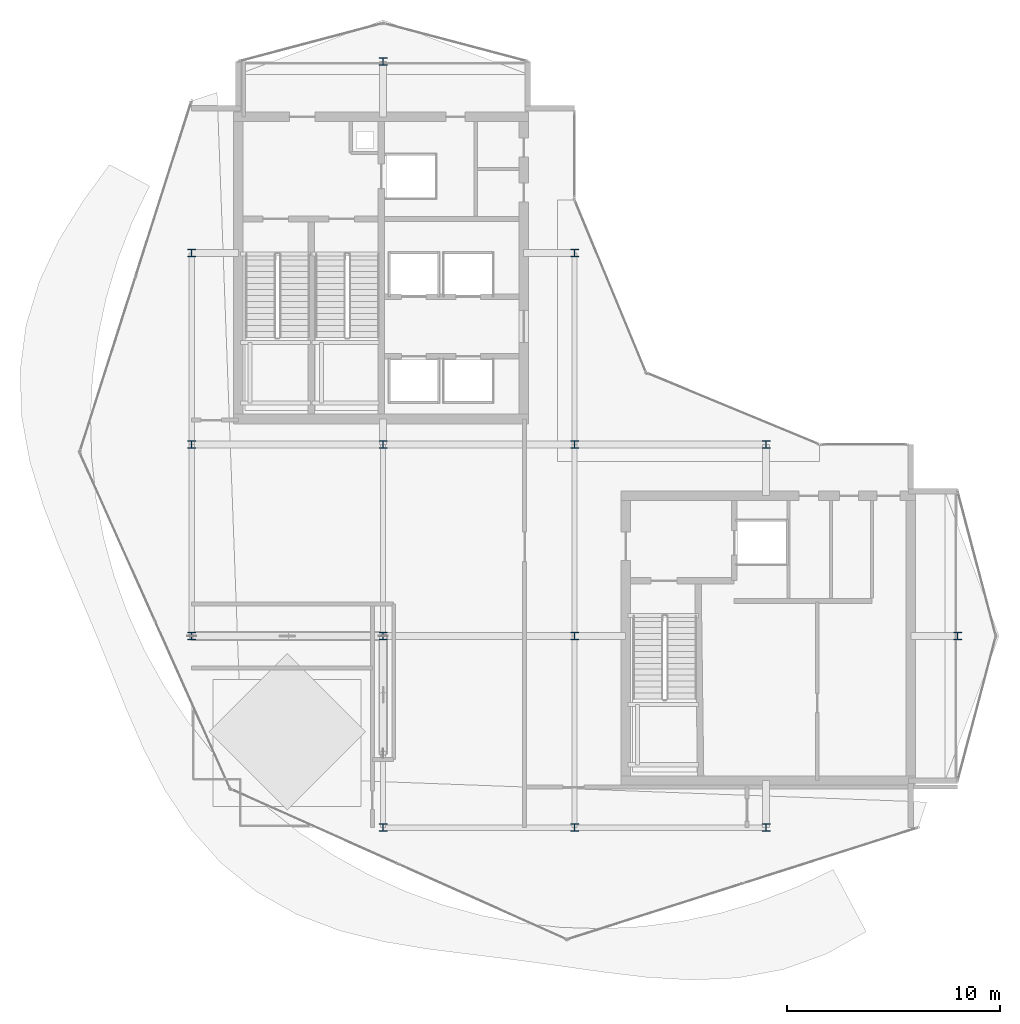
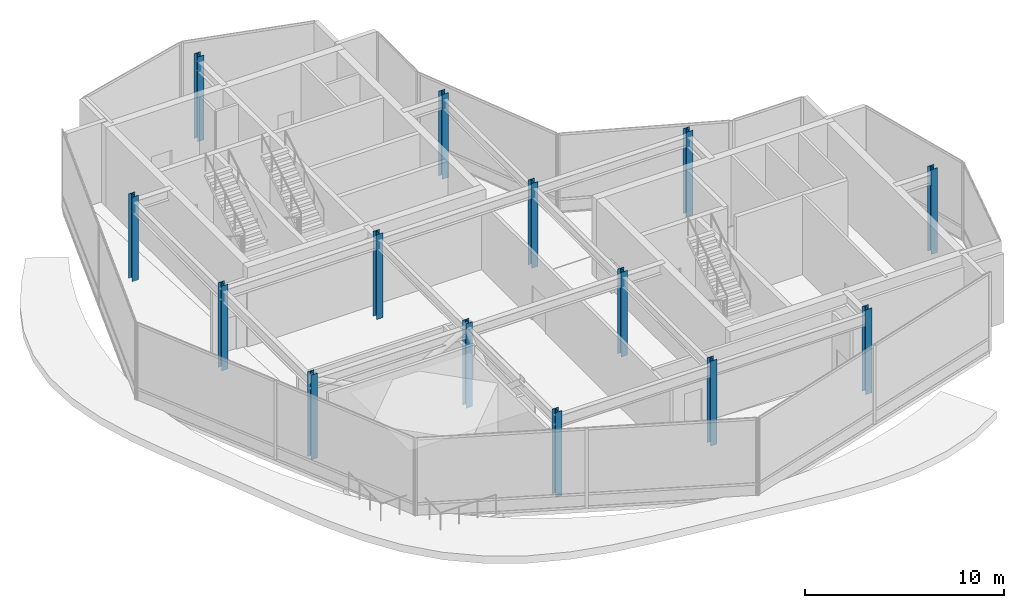
# One storey, part 1 of 21: 14 columns.
"""IFC4 building model written with IfcOpenShell, lengths in metres."""

from ifc_helpers import new_model, si_unit, direction, frame, origin, origin_2d, place, context, subcontext, project, spatial, i_section, extrude, material, material_profile, profile_set, type_object, element, save


model = new_model("IFC4")

# Units and contexts
model_context = context("Model", 3, precision=1e-05, world=origin(), true_north=direction((0.0, 1.0)))
body_context = subcontext(model_context, "Body", "Model", "MODEL_VIEW")
ifc_project = project(units=[si_unit("LENGTHUNIT", "METRE"), si_unit("AREAUNIT", "SQUARE_METRE"), si_unit("VOLUMEUNIT", "CUBIC_METRE"), si_unit("PLANEANGLEUNIT", "RADIAN"), si_unit("MASSUNIT", "GRAM", prefix="KILO")], contexts=[model_context])

# Site, building, storey
site_placement = place(None, origin())
site = spatial("IfcSite", under=ifc_project, at=site_placement, CompositionType="ELEMENT")
building_placement = place(site_placement, origin())
building = spatial("IfcBuilding", under=site, at=building_placement, Name="Solvaryn Broadcast Tower", CompositionType="ELEMENT")
storey_placement = place(building_placement, frame((0.0, 0.0, 297.39990234375)))
storey = spatial("IfcBuildingStorey", under=building, at=storey_placement, Name="L75", CompositionType="ELEMENT", Elevation=297.39990234375)

# Columns
ifc_material_1 = material(Name="Steel ASTM A913 Grade 65", Category="steel")
ifc_material_profile_1 = material_profile(ifc_material_1, i_section(OverallWidth=0.373046875, OverallDepth=0.367919921875, WebThickness=0.014892578125, FlangeThickness=0.02392578125, FilletRadius=0.014892578125, at=origin_2d()))
ifc_profile_set_1 = profile_set([ifc_material_profile_1], Name="Steel ASTM A913 Grade 65")
column_type_1 = type_object("IfcColumnType", Name="COL-C11E-W14X120", PredefinedType="COLUMN", material=ifc_profile_set_1)
for number, where, z_axis, x_axis, name in (
    (1, (9.0, 18.0, 0.0), (0.0, 0.0, 1.0), (1.0, 0.0, 0.0), "L75 Column (9.0, 18.0)"),
    (2, (9.0, 27.0, 0.0), (0.0, 0.0, 1.0), (1.0, 0.0, 0.0), "L75 Column (9.0, 27.0)"),
    (3, (9.0, 36.0, 0.0), (0.0, 0.0, 1.0), (1.0, 0.0, 0.0), "L75 Column (9.0, 36.0)"),
    (4, (18.0, 9.0, 0.0), (0.0, 0.0, 1.0), (1.0, 0.0, 0.0), "L75 Column (18.0, 9.0)"),
    (5, (18.0, 45.0, 0.0), (0.0, 0.0, 1.0), (1.0, 0.0, 0.0), "L75 Column (18.0, 45.0)"),
    (6, (27.0, 9.0, 0.0), (0.0, 0.0, 1.0), (1.0, 0.0, 0.0), "L75 Column (27.0, 9.0)"),
    (7, (27.0, 36.0, 0.0), (0.0, 0.0, 1.0), (1.0, 0.0, 0.0), "L75 Column (27.0, 36.0)"),
    (8, (36.0, 9.0, 0.0), (0.0, 0.0, 1.0), (1.0, 0.0, 0.0), "L75 Column (36.0, 9.0)"),
    (9, (36.0, 27.0, 0.0), (0.0, 0.0, 1.0), (1.0, 0.0, 0.0), "L75 Column (36.0, 27.0)"),
    (10, (45.0, 18.0, 0.0), (0.0, 0.0, 1.0), (1.0, 0.0, 0.0), "L75 Column (45.0, 18.0)"),
):
    element("IfcColumn", number, at=place(storey_placement, frame(where, z_axis=z_axis, x_axis=x_axis)), inside=storey, type_object=column_type_1, Name=name, PredefinedType="COLUMN", context=body_context, shape_type="SweptSolid", body=[
        extrude(i_section(OverallWidth=0.373046875, OverallDepth=0.367919921875, WebThickness=0.014892578125, FlangeThickness=0.02392578125, FilletRadius=0.014892578125, at=origin_2d()), origin(), (0.0, 0.0, 1.0), 5.2001953125),
    ])
ifc_material_2 = material(Name="Steel ASTM A913 Grade 65", Category="steel")
ifc_material_profile_2 = material_profile(ifc_material_2, i_section(OverallWidth=0.373046875, OverallDepth=0.367919921875, WebThickness=0.014892578125, FlangeThickness=0.02392578125, FilletRadius=0.014892578125, at=origin_2d()))
ifc_profile_set_2 = profile_set([ifc_material_profile_2], Name="Steel ASTM A913 Grade 65")
column_type_2 = type_object("IfcColumnType", Name="COL-C11I-W14X120", PredefinedType="COLUMN", material=ifc_profile_set_2)
for number, where, z_axis, x_axis, name in (
    (11, (18.0, 18.0, 0.0), (0.0, 0.0, 1.0), (1.0, 0.0, 0.0), "L75 Column (18.0, 18.0)"),
    (12, (18.0, 27.0, 0.0), (0.0, 0.0, 1.0), (1.0, 0.0, 0.0), "L75 Column (18.0, 27.0)"),
    (13, (27.0, 18.0, 0.0), (0.0, 0.0, 1.0), (1.0, 0.0, 0.0), "L75 Column (27.0, 18.0)"),
    (14, (27.0, 27.0, 0.0), (0.0, 0.0, 1.0), (1.0, 0.0, 0.0), "L75 Column (27.0, 27.0)"),
):
    element("IfcColumn", number, at=place(storey_placement, frame(where, z_axis=z_axis, x_axis=x_axis)), inside=storey, type_object=column_type_2, Name=name, PredefinedType="COLUMN", context=body_context, shape_type="SweptSolid", body=[
        extrude(i_section(OverallWidth=0.373046875, OverallDepth=0.367919921875, WebThickness=0.014892578125, FlangeThickness=0.02392578125, FilletRadius=0.014892578125, at=origin_2d()), origin(), (0.0, 0.0, 1.0), 5.2001953125),
    ])

save(model, "model.ifc")
